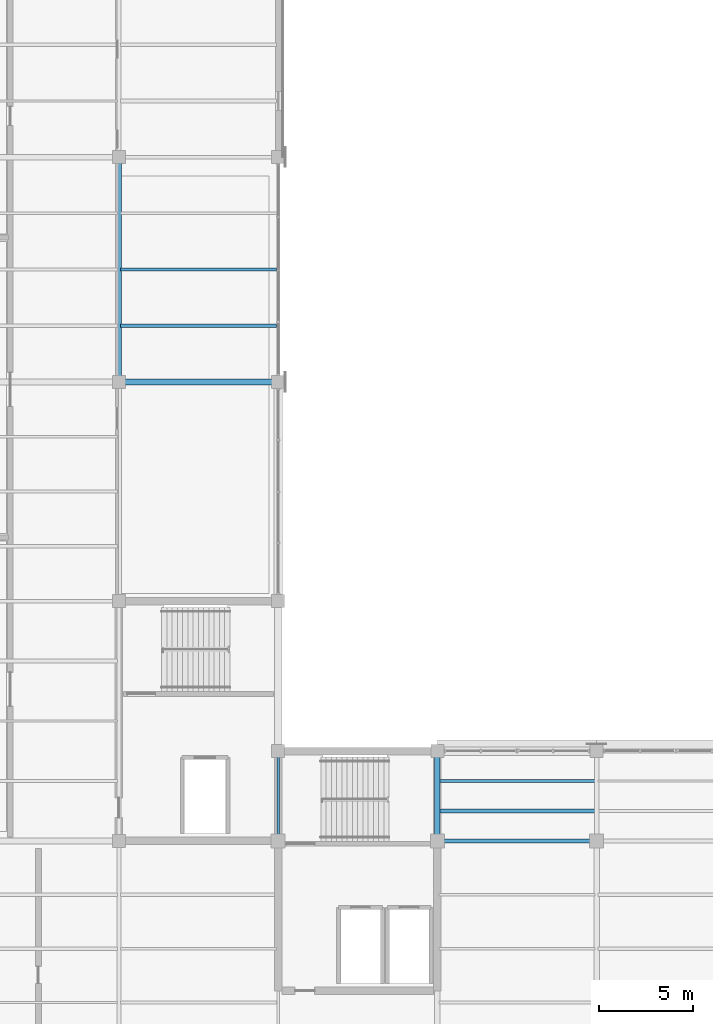
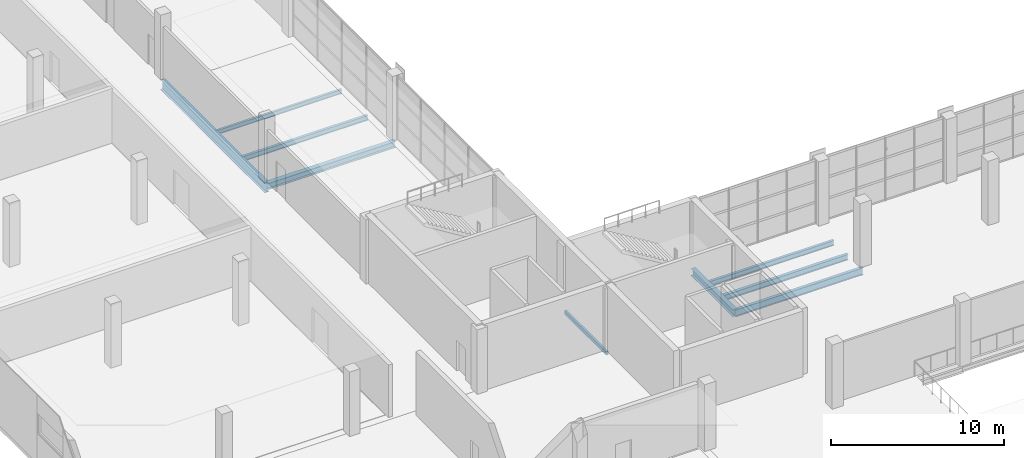
# One storey, part 16 of 101: 9 beams.
"""IFC4 building model written with IfcOpenShell, lengths in metres."""

from ifc_helpers import new_model, si_unit, direction, frame, origin, origin_2d, place, context, subcontext, project, spatial, hollow_rectangle, i_section, extrude, material, material_profile, profile_set, type_object, element, save


model = new_model("IFC4")

# Units and contexts
model_context = context("Model", 3, precision=1e-05, world=origin(), true_north=direction((0.0, 1.0)))
body_context = subcontext(model_context, "Body", "Model", "MODEL_VIEW")
ifc_project = project(units=[si_unit("LENGTHUNIT", "METRE"), si_unit("AREAUNIT", "SQUARE_METRE"), si_unit("VOLUMEUNIT", "CUBIC_METRE"), si_unit("PLANEANGLEUNIT", "RADIAN"), si_unit("MASSUNIT", "GRAM", prefix="KILO")], contexts=[model_context])

# Site, building, storey
site_placement = place(None, origin())
site = spatial("IfcSite", under=ifc_project, at=site_placement, CompositionType="ELEMENT")
building_placement = place(site_placement, origin())
building = spatial("IfcBuilding", under=site, at=building_placement, Name="Solvikara Media Centre", CompositionType="ELEMENT")
storey_placement = place(building_placement, frame((0.0, 0.0, 10.199951171875)))
storey = spatial("IfcBuildingStorey", under=building, at=storey_placement, Name="L02", CompositionType="ELEMENT", Elevation=10.199951171875)

# Beams
ifc_material = material(Name="Steel S355JR", Category="steel")
ifc_material_profile_1 = material_profile(ifc_material, i_section(OverallWidth=0.300048828125, OverallDepth=0.699951171875, WebThickness=0.012939453125, FlangeThickness=0.02392578125, at=origin_2d()), Name="WF 700x300x13x24")
ifc_profile_set_1 = profile_set([ifc_material_profile_1], Name="Steel S355JR")
beam_type_1 = type_object("IfcBeamType", Name="BM-17", PredefinedType="BEAM", material=ifc_profile_set_1)
beam_1_placement = place(storey_placement, frame((25.5, 56.5, -0.612060546875), z_axis=(0.0, 1.0, 0.0), x_axis=(-1.0, 0.0, 0.0)))
element("IfcBeam", 1, at=beam_1_placement, inside=storey, type_object=beam_type_1, Name="B-L02-Y0940", PredefinedType="BEAM", context=body_context, shape_type="SweptSolid", body=[
    extrude(i_section(OverallWidth=0.300048828125, OverallDepth=0.699951171875, WebThickness=0.012939453125, FlangeThickness=0.02392578125, at=origin_2d()), origin(), (0.0, 0.0, 1.0), 12.0),
])
ifc_material_profile_2 = material_profile(ifc_material, i_section(OverallWidth=0.199951171875, OverallDepth=0.5, WebThickness=0.010009765625, FlangeThickness=0.01611328125, at=origin_2d()), Name="WF 500x200x10x16")
ifc_profile_set_2 = profile_set([ifc_material_profile_2], Name="Steel S355JR")
beam_type_2 = type_object("IfcBeamType", Name="BM-19", PredefinedType="BEAM", material=ifc_profile_set_2)
beam_2_placement = place(storey_placement, frame((42.5, 32.0, -0.531982421875), z_axis=(1.0, 0.0, 0.0), x_axis=(0.0, 1.0, 0.0)))
element("IfcBeam", 2, at=beam_2_placement, inside=storey, type_object=beam_type_2, Name="B-L02-X0857", PredefinedType="BEAM", context=body_context, shape_type="SweptSolid", body=[
    extrude(i_section(OverallWidth=0.199951171875, OverallDepth=0.5, WebThickness=0.010009765625, FlangeThickness=0.01611328125, at=origin_2d()), origin(), (0.0, 0.0, 1.0), 8.5),
])
ifc_material_profile_3 = material_profile(ifc_material, i_section(OverallWidth=0.199951171875, OverallDepth=0.39990234375, WebThickness=0.008056640625, FlangeThickness=0.012939453125, at=origin_2d()), Name="WF 400x200x8x13")
ifc_profile_set_3 = profile_set([ifc_material_profile_3], Name="Steel S355JR")
beam_type_3 = type_object("IfcBeamType", Name="BM-21", PredefinedType="JOIST", material=ifc_profile_set_3)
beam_3_placement = place(storey_placement, frame((42.577880859375, 33.60009765625, -0.48193359375), z_axis=(1.0, 0.0, 0.0), x_axis=(0.0, 1.0, 0.0)))
element("IfcBeam", 3, at=beam_3_placement, inside=storey, type_object=beam_type_3, Name="J-L02-1105", PredefinedType="JOIST", context=body_context, shape_type="SweptSolid", body=[
    extrude(i_section(OverallWidth=0.199951171875, OverallDepth=0.39990234375, WebThickness=0.008056640625, FlangeThickness=0.012939453125, at=origin_2d()), origin(), (0.0, 0.0, 1.0), 8.34423828125),
])
ifc_material_profile_4 = material_profile(ifc_material, i_section(OverallWidth=0.175048828125, OverallDepth=0.35009765625, WebThickness=0.007080078125, FlangeThickness=0.010986328125, at=origin_2d()), Name="WF 350x175x7x11")
ifc_profile_set_4 = profile_set([ifc_material_profile_4], Name="Steel S355JR")
beam_type_4 = type_object("IfcBeamType", Name="BM-22", PredefinedType="JOIST", material=ifc_profile_set_4)
for number, where, z_axis, x_axis, name in (
    (4, (25.577880859375, 59.5, -0.43701171875), (1.0, 0.0, 0.0), (0.0, 1.0, 0.0), "J-L02-1082"),
    (5, (42.577880859375, 35.199951171875, -0.45703125), (1.0, 0.0, 0.0), (0.0, 1.0, 0.0), "J-L02-1106"),
):
    element("IfcBeam", number, at=place(storey_placement, frame(where, z_axis=z_axis, x_axis=x_axis)), inside=storey, type_object=beam_type_4, Name=name, PredefinedType="JOIST", context=body_context, shape_type="SweptSolid", body=[
        extrude(i_section(OverallWidth=0.175048828125, OverallDepth=0.35009765625, WebThickness=0.007080078125, FlangeThickness=0.010986328125, at=origin_2d()), origin(), (0.0, 0.0, 1.0), 8.34423828125),
    ])
ifc_material_profile_5 = material_profile(ifc_material, i_section(OverallWidth=0.14990234375, OverallDepth=0.300048828125, WebThickness=0.006591796875, FlangeThickness=0.009033203125, at=origin_2d()), Name="WF 300x150x6.5x9")
ifc_profile_set_5 = profile_set([ifc_material_profile_5], Name="Steel S355JR")
beam_type_5 = type_object("IfcBeamType", Name="BM-23", PredefinedType="JOIST", material=ifc_profile_set_5)
beam_4_placement = place(storey_placement, frame((25.577880859375, 62.5, -0.411865234375), z_axis=(1.0, 0.0, 0.0), x_axis=(0.0, 1.0, 0.0)))
element("IfcBeam", 6, at=beam_4_placement, inside=storey, type_object=beam_type_5, Name="J-L02-1083", PredefinedType="JOIST", context=body_context, shape_type="SweptSolid", body=[
    extrude(i_section(OverallWidth=0.14990234375, OverallDepth=0.300048828125, WebThickness=0.006591796875, FlangeThickness=0.009033203125, at=origin_2d()), origin(), (0.0, 0.0, 1.0), 8.34423828125),
])
ifc_material_profile_6 = material_profile(ifc_material, i_section(OverallWidth=0.300048828125, OverallDepth=0.488037109375, WebThickness=0.010986328125, FlangeThickness=0.01806640625, at=origin_2d()), Name="H 488x300x11x18")
ifc_profile_set_6 = profile_set([ifc_material_profile_6], Name="Steel S355JR")
beam_type_6 = type_object("IfcBeamType", Name="BM-27", PredefinedType="BEAM", material=ifc_profile_set_6)
beam_5_placement = place(storey_placement, frame((42.5, 32.0, -0.52587890625), z_axis=(0.0, 1.0, 0.0), x_axis=(-1.0, 0.0, 0.0)))
element("IfcBeam", 7, at=beam_5_placement, inside=storey, type_object=beam_type_6, Name="B-L02-Y0959", PredefinedType="BEAM", context=body_context, shape_type="SweptSolid", body=[
    extrude(i_section(OverallWidth=0.300048828125, OverallDepth=0.488037109375, WebThickness=0.010986328125, FlangeThickness=0.01806640625, at=origin_2d()), origin(), (0.0, 0.0, 1.0), 4.800048828125),
])
ifc_material_profile_7 = material_profile(ifc_material, i_section(OverallWidth=0.300048828125, OverallDepth=0.43994140625, WebThickness=0.010986328125, FlangeThickness=0.01806640625, at=origin_2d()), Name="H 440x300x11x18")
ifc_profile_set_7 = profile_set([ifc_material_profile_7], Name="Steel S355JR")
beam_type_7 = type_object("IfcBeamType", Name="BM-28", PredefinedType="BEAM", material=ifc_profile_set_7)
beam_6_placement = place(storey_placement, frame((25.5, 56.5, -0.48193359375), z_axis=(1.0, 0.0, 0.0), x_axis=(0.0, 1.0, 0.0)))
element("IfcBeam", 8, at=beam_6_placement, inside=storey, type_object=beam_type_7, Name="B-L02-X0876", PredefinedType="BEAM", context=body_context, shape_type="SweptSolid", body=[
    extrude(i_section(OverallWidth=0.300048828125, OverallDepth=0.43994140625, WebThickness=0.010986328125, FlangeThickness=0.01806640625, at=origin_2d()), origin(), (0.0, 0.0, 1.0), 8.5),
])
ifc_material_profile_8 = material_profile(ifc_material, hollow_rectangle(XDim=0.14990234375, YDim=0.25, WallThickness=0.008056640625, at=origin_2d()), Name="RHS 250x150x8")
ifc_profile_set_8 = profile_set([ifc_material_profile_8], Name="Steel S355JR")
beam_type_8 = type_object("IfcBeamType", Name="BM-36", PredefinedType="JOIST", material=ifc_profile_set_8)
beam_7_placement = place(storey_placement, frame((34.0, 32.0, -0.406982421875), z_axis=(0.0, 1.0, 0.0), x_axis=(-1.0, 0.0, 0.0)))
element("IfcBeam", 9, at=beam_7_placement, inside=storey, type_object=beam_type_8, Name="B-L02-Y0948", PredefinedType="JOIST", context=body_context, shape_type="SweptSolid", body=[
    extrude(hollow_rectangle(XDim=0.14990234375, YDim=0.25, WallThickness=0.008056640625, at=origin_2d()), origin(), (0.0, 0.0, 1.0), 4.800048828125),
])

save(model, "model.ifc")
